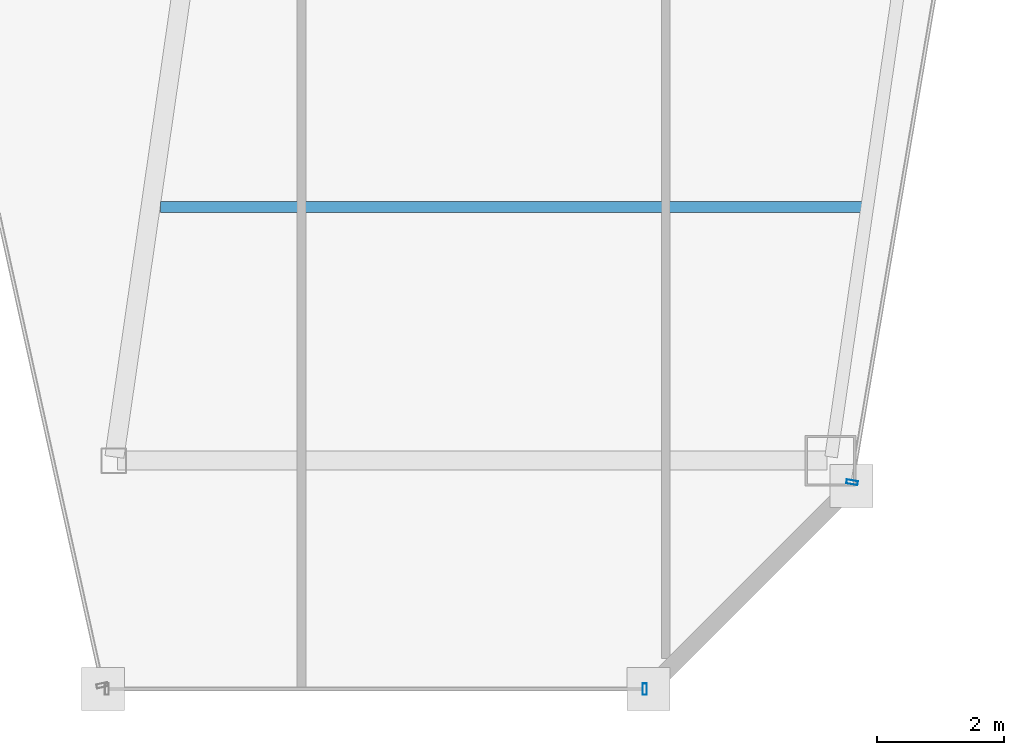
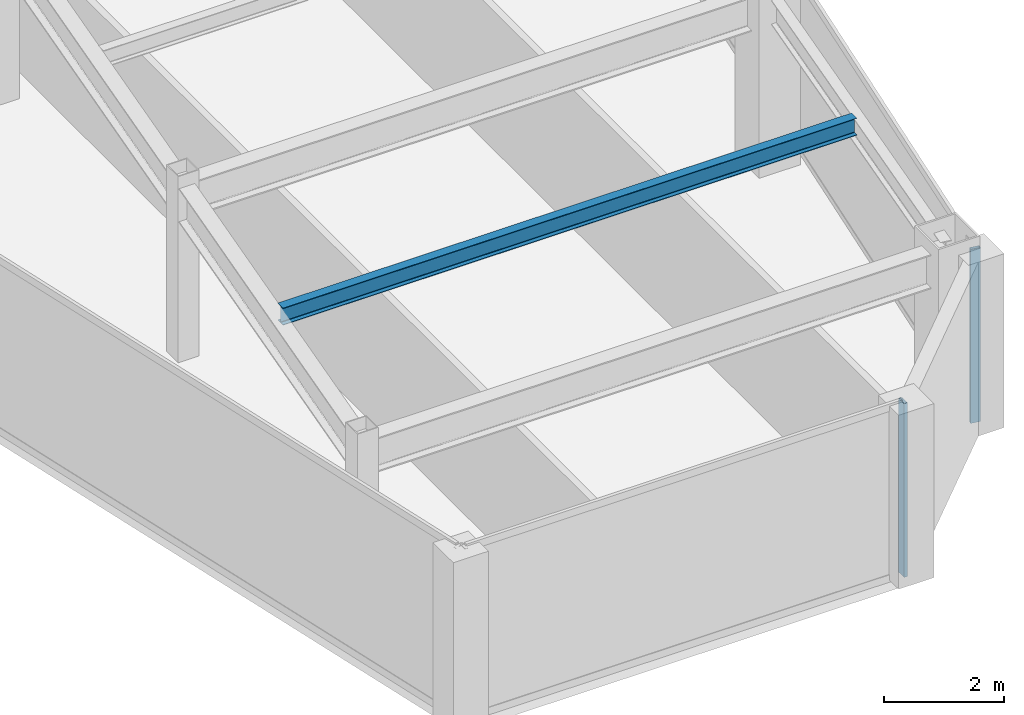
# One storey, part 18 of 36: 2 members, 1 beam, 2 elements without a shape of their own.
"""IFC4 building model written with IfcOpenShell, lengths in metres."""

from ifc_helpers import new_model, si_unit, direction, frame, origin, origin_2d, place, context, subcontext, project, spatial, hollow_rectangle, i_section, extrude, material, material_profile, profile_set, type_object, element, aggregate, save


model = new_model("IFC4")

# Units and contexts
model_context = context("Model", 3, precision=1e-05, world=origin(), true_north=direction((0.0, 1.0)))
body_context = subcontext(model_context, "Body", "Model", "MODEL_VIEW")
ifc_project = project(units=[si_unit("LENGTHUNIT", "METRE"), si_unit("AREAUNIT", "SQUARE_METRE"), si_unit("VOLUMEUNIT", "CUBIC_METRE"), si_unit("PLANEANGLEUNIT", "RADIAN"), si_unit("MASSUNIT", "GRAM", prefix="KILO")], contexts=[model_context])

# Site, building, storey
site_placement = place(None, origin())
site = spatial("IfcSite", under=ifc_project, at=site_placement, CompositionType="ELEMENT")
building_placement = place(site_placement, origin())
building = spatial("IfcBuilding", under=site, at=building_placement, Name="Saevonmaru Cultural Tower", CompositionType="ELEMENT")
storey_placement = place(building_placement, frame((0.0, 0.0, 182.800048828125)))
storey = spatial("IfcBuildingStorey", under=building, at=storey_placement, Name="L41", CompositionType="ELEMENT", Elevation=182.800048828125)

# Beam
ifc_material_1 = material(Name="Steel SM355", Category="steel")
ifc_material_profile_1 = material_profile(ifc_material_1, i_section(OverallWidth=0.175048828125, OverallDepth=0.35009765625, WebThickness=0.007080078125, FlangeThickness=0.010986328125, FilletRadius=0.012939453125, at=origin_2d()), Name="H-350x175x7x11")
ifc_profile_set_1 = profile_set([ifc_material_profile_1], Name="Steel SM355")
beam_type = type_object("IfcBeamType", Name="BM-J-H350", PredefinedType="JOIST", material=ifc_profile_set_1)
beam_placement = place(storey_placement, frame((38.80810546875, 20.0, 3.375), z_axis=(1.0, 0.0, 0.0), x_axis=(0.0, 1.0, 0.0)))
element("IfcBeam", 1, at=beam_placement, inside=storey, type_object=beam_type, Name="L41 East Wing Floor Joist 1", PredefinedType="JOIST", context=body_context, shape_type="SweptSolid", body=[
    extrude(i_section(OverallWidth=0.175048828125, OverallDepth=0.35009765625, WebThickness=0.007080078125, FlangeThickness=0.010986328125, FilletRadius=0.012939453125, at=origin_2d()), origin(), (0.0, 0.0, 1.0), 11.081787109375),
])

# Curtain wall, member
ifc_material_2 = material(Name="Satin Bronze Anodised Aluminium", Category="aluminium")
curtain_wall_type = type_object("IfcCurtainWallType", Name="CW-TYP-B", PredefinedType="NOTDEFINED", material=ifc_material_2)
curtain_wall_1_placement = place(storey_placement, origin())
curtain_wall_1 = element("IfcCurtainWall", 2, at=curtain_wall_1_placement, inside=storey, type_object=curtain_wall_type, Name="L41 Unitised Curtain Wall E6", PredefinedType="NOTDEFINED")
ifc_material_profile_2 = material_profile(ifc_material_2, hollow_rectangle(XDim=0.06494140625, YDim=0.179931640625, WallThickness=0.00390625, at=origin_2d()), Name="ALU-MULL-180x65x4")
ifc_profile_set_2 = profile_set([ifc_material_profile_2], Name="Satin Bronze Anodised Aluminium")
member_type = type_object("IfcMemberType", Name="ML-CW-180x65", PredefinedType="MULLION", material=ifc_profile_set_2)
member_1_placement = place(storey_placement, frame((46.442138671875, 12.39990234375, 0.0), z_axis=(0.0, 0.0, 1.0), x_axis=(1.0, 0.0, 0.0)))
member_1 = element("IfcMember", 3, at=member_1_placement, type_object=member_type, Name="CW-TW-L41-E6 mullion 2", PredefinedType="MULLION", context=body_context, shape_type="SweptSolid", body=[
    extrude(hollow_rectangle(XDim=0.06494140625, YDim=0.179931640625, WallThickness=0.00390625, at=origin_2d()), origin(), (0.0, 0.0, 1.0), 3.550048828125),
])
aggregate(curtain_wall_1, [member_1])

curtain_wall_2_placement = place(storey_placement, origin())
curtain_wall_2 = element("IfcCurtainWall", 4, at=curtain_wall_2_placement, inside=storey, type_object=curtain_wall_type, Name="L41 Unitised Curtain Wall E8", PredefinedType="NOTDEFINED")
member_2_placement = place(storey_placement, frame((49.712158203125, 15.6591796875, 0.0), z_axis=(0.0, 0.0, 1.0), x_axis=(0.16692169721, 0.985970155228, 0.0)))
member_2 = element("IfcMember", 5, at=member_2_placement, type_object=member_type, Name="CW-TW-L41-E8 mullion 1", PredefinedType="MULLION", context=body_context, shape_type="SweptSolid", body=[
    extrude(hollow_rectangle(XDim=0.06494140625, YDim=0.179931640625, WallThickness=0.00390625, at=origin_2d()), origin(), (0.0, 0.0, 1.0), 3.550048828125),
])
aggregate(curtain_wall_2, [member_2])

save(model, "model.ifc")
